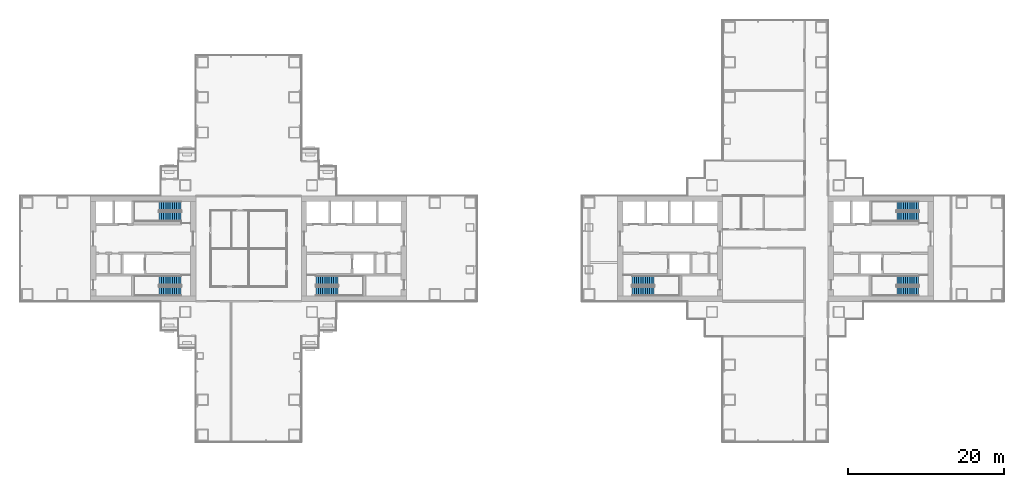
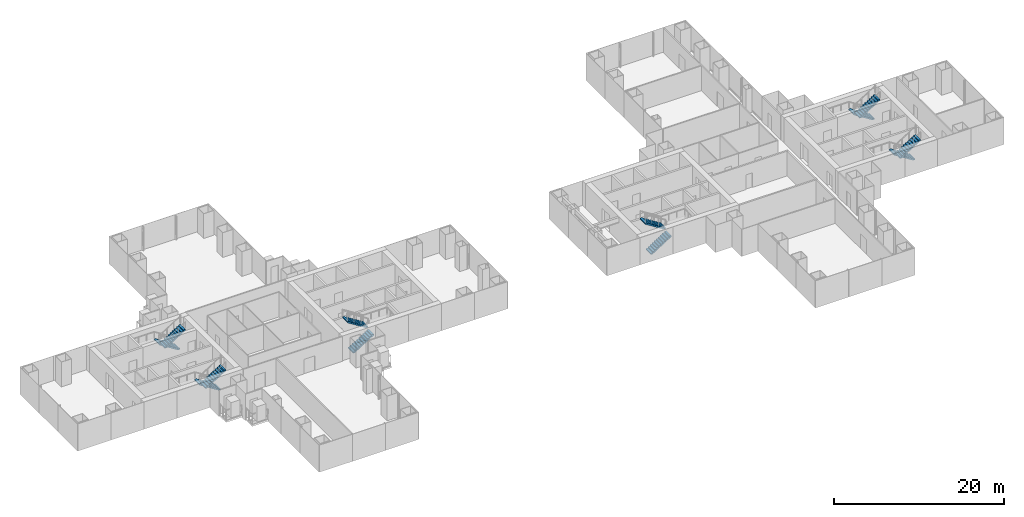
# One storey, part 18 of 21: 12 stair flights, 6 elements without a shape of their own.
"""IFC4 building model written with IfcOpenShell, lengths in metres."""

from ifc_helpers import new_model, si_unit, direction, frame, origin, place, context, subcontext, project, spatial, polyline, outline, extrude, material, type_object, element, aggregate, save


model = new_model("IFC4")

# Units and contexts
model_context = context("Model", 3, precision=1e-05, world=origin(), true_north=direction((0.0, 1.0)))
body_context = subcontext(model_context, "Body", "Model", "MODEL_VIEW")
ifc_project = project(units=[si_unit("LENGTHUNIT", "METRE"), si_unit("AREAUNIT", "SQUARE_METRE"), si_unit("VOLUMEUNIT", "CUBIC_METRE"), si_unit("PLANEANGLEUNIT", "RADIAN"), si_unit("MASSUNIT", "GRAM", prefix="KILO")], contexts=[model_context])

# Site, building, storey
site_placement = place(None, origin())
site = spatial("IfcSite", under=ifc_project, at=site_placement, CompositionType="ELEMENT")
building_placement = place(site_placement, origin())
building = spatial("IfcBuilding", under=site, at=building_placement, Name="Shamsa Quay Exchange Towers", CompositionType="ELEMENT")
storey_placement = place(building_placement, frame((0.0, 0.0, 65.39990234375)))
storey = spatial("IfcBuildingStorey", under=building, at=storey_placement, Name="L14", CompositionType="ELEMENT", Elevation=65.39990234375)

# Stair, stair flights
ifc_material = material(Name="Concrete C40/50", Category="concrete")
stair_type = type_object("IfcStairType", Name="EXIT STAIR 22 RISERS 177 MM", PredefinedType="HALF_TURN_STAIR", material=ifc_material)
stair_1_placement = place(storey_placement, origin())
stair_1 = element("IfcStair", 1, at=stair_1_placement, inside=storey, type_object=stair_type, Name="L14 Exit stair ST1", PredefinedType="HALF_TURN_STAIR")
stair_flight_type = type_object("IfcStairFlightType", Name="EXIT STAIR FLIGHT 11 RISERS 177 MM", PredefinedType="STRAIGHT", material=ifc_material)
stair_flight_1_placement = place(storey_placement, frame((-25.10009765625, -5.449951171875, 0.0)))
stair_flight_1 = element("IfcStairFlight", 2, at=stair_flight_1_placement, type_object=stair_flight_type, Name="ST1 flight 1", NumberOfRisers=11, NumberOfTreads=10, PredefinedType="STRAIGHT", RiserHeight=0.177272727, TreadLength=0.28, context=body_context, shape_type="SweptSolid", body=[
    extrude(outline(polyline([(0.0, 0.0), (0.0, 0.17724609375), (0.280029296875, 0.17724609375), (0.280029296875, 0.3544921875), (0.56005859375, 0.3544921875), (0.56005859375, 0.53173828125), (0.840087890625, 0.53173828125), (0.840087890625, 0.708984375), (1.1201171875, 0.708984375), (1.1201171875, 0.886474609375), (1.39990234375, 0.886474609375), (1.39990234375, 1.063720703125), (1.679931640625, 1.063720703125), (1.679931640625, 1.240966796875), (1.9599609375, 1.240966796875), (1.9599609375, 1.418212890625), (2.239990234375, 1.418212890625), (2.239990234375, 1.595458984375), (2.52001953125, 1.595458984375), (2.52001953125, 1.772705078125), (2.800048828125, 1.772705078125), (2.800048828125, 1.949951171875), (2.800048828125, 1.607177734375), (0.261474609375, 0.0), (0.0, 0.0)])), frame((0.0, 0.60009765625, 0.0), z_axis=(0.0, -1.0, 0.0), x_axis=(1.0, 0.0, 0.0)), (0.0, 0.0, 1.0), 1.199951171875),
])
stair_flight_2_placement = place(storey_placement, frame((-22.300048828125, -4.10009765625, 1.9501953125), z_axis=(0.0, 0.0, 1.0), x_axis=(-1.0, 0.0, 0.0)))
stair_flight_2 = element("IfcStairFlight", 3, at=stair_flight_2_placement, type_object=stair_flight_type, Name="ST1 flight 2", NumberOfRisers=11, NumberOfTreads=10, PredefinedType="STRAIGHT", RiserHeight=0.177272727, TreadLength=0.28, context=body_context, shape_type="SweptSolid", body=[
    extrude(outline(polyline([(0.0, 0.0), (0.0, 0.17724609375), (0.280029296875, 0.17724609375), (0.280029296875, 0.3544921875), (0.56005859375, 0.3544921875), (0.56005859375, 0.53173828125), (0.840087890625, 0.53173828125), (0.840087890625, 0.708984375), (1.1201171875, 0.708984375), (1.1201171875, 0.886474609375), (1.39990234375, 0.886474609375), (1.39990234375, 1.063720703125), (1.679931640625, 1.063720703125), (1.679931640625, 1.240966796875), (1.9599609375, 1.240966796875), (1.9599609375, 1.418212890625), (2.239990234375, 1.418212890625), (2.239990234375, 1.595458984375), (2.52001953125, 1.595458984375), (2.52001953125, 1.772705078125), (2.800048828125, 1.772705078125), (2.800048828125, 1.949951171875), (2.800048828125, 1.607177734375), (0.261474609375, 0.0), (0.0, 0.0)])), frame((0.0, 0.60009765625, 0.0), z_axis=(0.0, -1.0, 0.0), x_axis=(1.0, 0.0, 0.0)), (0.0, 0.0, 1.0), 1.199951171875),
])
aggregate(stair_1, [stair_flight_1, stair_flight_2])

stair_2_placement = place(storey_placement, origin())
stair_2 = element("IfcStair", 4, at=stair_2_placement, inside=storey, type_object=stair_type, Name="L14 Exit stair ST2", PredefinedType="HALF_TURN_STAIR")
stair_flight_3_placement = place(storey_placement, frame((-42.39990234375, -4.10009765625, 0.0), z_axis=(0.0, 0.0, 1.0), x_axis=(-1.0, 0.0, 0.0)))
stair_flight_3 = element("IfcStairFlight", 5, at=stair_flight_3_placement, type_object=stair_flight_type, Name="ST2 flight 1", NumberOfRisers=11, NumberOfTreads=10, PredefinedType="STRAIGHT", RiserHeight=0.177272727, TreadLength=0.28, context=body_context, shape_type="SweptSolid", body=[
    extrude(outline(polyline([(0.0, 0.0), (0.0, 0.17724609375), (0.280029296875, 0.17724609375), (0.280029296875, 0.3544921875), (0.56005859375, 0.3544921875), (0.56005859375, 0.53173828125), (0.840087890625, 0.53173828125), (0.840087890625, 0.708984375), (1.1201171875, 0.708984375), (1.1201171875, 0.886474609375), (1.39990234375, 0.886474609375), (1.39990234375, 1.063720703125), (1.679931640625, 1.063720703125), (1.679931640625, 1.240966796875), (1.9599609375, 1.240966796875), (1.9599609375, 1.418212890625), (2.239990234375, 1.418212890625), (2.239990234375, 1.595458984375), (2.52001953125, 1.595458984375), (2.52001953125, 1.772705078125), (2.800048828125, 1.772705078125), (2.800048828125, 1.949951171875), (2.800048828125, 1.607177734375), (0.261474609375, 0.0), (0.0, 0.0)])), frame((0.0, 0.60009765625, 0.0), z_axis=(0.0, -1.0, 0.0), x_axis=(1.0, 0.0, 0.0)), (0.0, 0.0, 1.0), 1.199951171875),
])
stair_flight_4_placement = place(storey_placement, frame((-45.199951171875, -5.449951171875, 1.9501953125)))
stair_flight_4 = element("IfcStairFlight", 6, at=stair_flight_4_placement, type_object=stair_flight_type, Name="ST2 flight 2", NumberOfRisers=11, NumberOfTreads=10, PredefinedType="STRAIGHT", RiserHeight=0.177272727, TreadLength=0.28, context=body_context, shape_type="SweptSolid", body=[
    extrude(outline(polyline([(0.0, 0.0), (0.0, 0.17724609375), (0.280029296875, 0.17724609375), (0.280029296875, 0.3544921875), (0.56005859375, 0.3544921875), (0.56005859375, 0.53173828125), (0.840087890625, 0.53173828125), (0.840087890625, 0.708984375), (1.1201171875, 0.708984375), (1.1201171875, 0.886474609375), (1.39990234375, 0.886474609375), (1.39990234375, 1.063720703125), (1.679931640625, 1.063720703125), (1.679931640625, 1.240966796875), (1.9599609375, 1.240966796875), (1.9599609375, 1.418212890625), (2.239990234375, 1.418212890625), (2.239990234375, 1.595458984375), (2.52001953125, 1.595458984375), (2.52001953125, 1.772705078125), (2.800048828125, 1.772705078125), (2.800048828125, 1.949951171875), (2.800048828125, 1.607177734375), (0.261474609375, 0.0), (0.0, 0.0)])), frame((0.0, 0.60009765625, 0.0), z_axis=(0.0, -1.0, 0.0), x_axis=(1.0, 0.0, 0.0)), (0.0, 0.0, 1.0), 1.199951171875),
])
aggregate(stair_2, [stair_flight_3, stair_flight_4])

stair_3_placement = place(storey_placement, origin())
stair_3 = element("IfcStair", 7, at=stair_3_placement, inside=storey, type_object=stair_type, Name="L14 Exit stair ST3", PredefinedType="HALF_TURN_STAIR")
stair_flight_5_placement = place(storey_placement, frame((-42.39990234375, 5.449951171875, 0.0), z_axis=(0.0, 0.0, 1.0), x_axis=(-1.0, 0.0, 0.0)))
stair_flight_5 = element("IfcStairFlight", 8, at=stair_flight_5_placement, type_object=stair_flight_type, Name="ST3 flight 1", NumberOfRisers=11, NumberOfTreads=10, PredefinedType="STRAIGHT", RiserHeight=0.177272727, TreadLength=0.28, context=body_context, shape_type="SweptSolid", body=[
    extrude(outline(polyline([(0.0, 0.0), (0.0, 0.17724609375), (0.280029296875, 0.17724609375), (0.280029296875, 0.3544921875), (0.56005859375, 0.3544921875), (0.56005859375, 0.53173828125), (0.840087890625, 0.53173828125), (0.840087890625, 0.708984375), (1.1201171875, 0.708984375), (1.1201171875, 0.886474609375), (1.39990234375, 0.886474609375), (1.39990234375, 1.063720703125), (1.679931640625, 1.063720703125), (1.679931640625, 1.240966796875), (1.9599609375, 1.240966796875), (1.9599609375, 1.418212890625), (2.239990234375, 1.418212890625), (2.239990234375, 1.595458984375), (2.52001953125, 1.595458984375), (2.52001953125, 1.772705078125), (2.800048828125, 1.772705078125), (2.800048828125, 1.949951171875), (2.800048828125, 1.607177734375), (0.261474609375, 0.0), (0.0, 0.0)])), frame((0.0, 0.60009765625, 0.0), z_axis=(0.0, -1.0, 0.0), x_axis=(1.0, 0.0, 0.0)), (0.0, 0.0, 1.0), 1.199951171875),
])
stair_flight_6_placement = place(storey_placement, frame((-45.199951171875, 4.10009765625, 1.9501953125)))
stair_flight_6 = element("IfcStairFlight", 9, at=stair_flight_6_placement, type_object=stair_flight_type, Name="ST3 flight 2", NumberOfRisers=11, NumberOfTreads=10, PredefinedType="STRAIGHT", RiserHeight=0.177272727, TreadLength=0.28, context=body_context, shape_type="SweptSolid", body=[
    extrude(outline(polyline([(0.0, 0.0), (0.0, 0.17724609375), (0.280029296875, 0.17724609375), (0.280029296875, 0.3544921875), (0.56005859375, 0.3544921875), (0.56005859375, 0.53173828125), (0.840087890625, 0.53173828125), (0.840087890625, 0.708984375), (1.1201171875, 0.708984375), (1.1201171875, 0.886474609375), (1.39990234375, 0.886474609375), (1.39990234375, 1.063720703125), (1.679931640625, 1.063720703125), (1.679931640625, 1.240966796875), (1.9599609375, 1.240966796875), (1.9599609375, 1.418212890625), (2.239990234375, 1.418212890625), (2.239990234375, 1.595458984375), (2.52001953125, 1.595458984375), (2.52001953125, 1.772705078125), (2.800048828125, 1.772705078125), (2.800048828125, 1.949951171875), (2.800048828125, 1.607177734375), (0.261474609375, 0.0), (0.0, 0.0)])), frame((0.0, 0.60009765625, 0.0), z_axis=(0.0, -1.0, 0.0), x_axis=(1.0, 0.0, 0.0)), (0.0, 0.0, 1.0), 1.199951171875),
])
aggregate(stair_3, [stair_flight_5, stair_flight_6])

stair_4_placement = place(storey_placement, origin())
stair_4 = element("IfcStair", 10, at=stair_4_placement, inside=storey, type_object=stair_type, Name="L14 Exit stair ST4", PredefinedType="HALF_TURN_STAIR")
stair_flight_7_placement = place(storey_placement, frame((15.39990234375, -5.449951171875, 0.0)))
stair_flight_7 = element("IfcStairFlight", 11, at=stair_flight_7_placement, type_object=stair_flight_type, Name="ST4 flight 1", NumberOfRisers=11, NumberOfTreads=10, PredefinedType="STRAIGHT", RiserHeight=0.177272727, TreadLength=0.28, context=body_context, shape_type="SweptSolid", body=[
    extrude(outline(polyline([(0.0, 0.0), (0.0, 0.17724609375), (0.280029296875, 0.17724609375), (0.280029296875, 0.3544921875), (0.56005859375, 0.3544921875), (0.56005859375, 0.53173828125), (0.840087890625, 0.53173828125), (0.840087890625, 0.708984375), (1.1201171875, 0.708984375), (1.1201171875, 0.886474609375), (1.39990234375, 0.886474609375), (1.39990234375, 1.063720703125), (1.679931640625, 1.063720703125), (1.679931640625, 1.240966796875), (1.9599609375, 1.240966796875), (1.9599609375, 1.418212890625), (2.239990234375, 1.418212890625), (2.239990234375, 1.595458984375), (2.52001953125, 1.595458984375), (2.52001953125, 1.772705078125), (2.800048828125, 1.772705078125), (2.800048828125, 1.949951171875), (2.800048828125, 1.607177734375), (0.261474609375, 0.0), (0.0, 0.0)])), frame((0.0, 0.60009765625, 0.0), z_axis=(0.0, -1.0, 0.0), x_axis=(1.0, 0.0, 0.0)), (0.0, 0.0, 1.0), 1.199951171875),
])
stair_flight_8_placement = place(storey_placement, frame((18.199951171875, -4.10009765625, 1.9501953125), z_axis=(0.0, 0.0, 1.0), x_axis=(-1.0, 0.0, 0.0)))
stair_flight_8 = element("IfcStairFlight", 12, at=stair_flight_8_placement, type_object=stair_flight_type, Name="ST4 flight 2", NumberOfRisers=11, NumberOfTreads=10, PredefinedType="STRAIGHT", RiserHeight=0.177272727, TreadLength=0.28, context=body_context, shape_type="SweptSolid", body=[
    extrude(outline(polyline([(0.0, 0.0), (0.0, 0.17724609375), (0.280029296875, 0.17724609375), (0.280029296875, 0.3544921875), (0.56005859375, 0.3544921875), (0.56005859375, 0.53173828125), (0.840087890625, 0.53173828125), (0.840087890625, 0.708984375), (1.1201171875, 0.708984375), (1.1201171875, 0.886474609375), (1.39990234375, 0.886474609375), (1.39990234375, 1.063720703125), (1.679931640625, 1.063720703125), (1.679931640625, 1.240966796875), (1.9599609375, 1.240966796875), (1.9599609375, 1.418212890625), (2.239990234375, 1.418212890625), (2.239990234375, 1.595458984375), (2.52001953125, 1.595458984375), (2.52001953125, 1.772705078125), (2.800048828125, 1.772705078125), (2.800048828125, 1.949951171875), (2.800048828125, 1.607177734375), (0.261474609375, 0.0), (0.0, 0.0)])), frame((0.0, 0.60009765625, 0.0), z_axis=(0.0, -1.0, 0.0), x_axis=(1.0, 0.0, 0.0)), (0.0, 0.0, 1.0), 1.199951171875),
])
aggregate(stair_4, [stair_flight_7, stair_flight_8])

stair_5_placement = place(storey_placement, origin())
stair_5 = element("IfcStair", 13, at=stair_5_placement, inside=storey, type_object=stair_type, Name="L14 Exit stair ST5", PredefinedType="HALF_TURN_STAIR")
stair_flight_9_placement = place(storey_placement, frame((52.10009765625, -4.10009765625, 0.0), z_axis=(0.0, 0.0, 1.0), x_axis=(-1.0, 0.0, 0.0)))
stair_flight_9 = element("IfcStairFlight", 14, at=stair_flight_9_placement, type_object=stair_flight_type, Name="ST5 flight 1", NumberOfRisers=11, NumberOfTreads=10, PredefinedType="STRAIGHT", RiserHeight=0.177272727, TreadLength=0.28, context=body_context, shape_type="SweptSolid", body=[
    extrude(outline(polyline([(0.0, 0.0), (0.0, 0.17724609375), (0.280029296875, 0.17724609375), (0.280029296875, 0.3544921875), (0.56005859375, 0.3544921875), (0.56005859375, 0.53173828125), (0.840087890625, 0.53173828125), (0.840087890625, 0.708984375), (1.1201171875, 0.708984375), (1.1201171875, 0.886474609375), (1.39990234375, 0.886474609375), (1.39990234375, 1.063720703125), (1.679931640625, 1.063720703125), (1.679931640625, 1.240966796875), (1.9599609375, 1.240966796875), (1.9599609375, 1.418212890625), (2.239990234375, 1.418212890625), (2.239990234375, 1.595458984375), (2.52001953125, 1.595458984375), (2.52001953125, 1.772705078125), (2.800048828125, 1.772705078125), (2.800048828125, 1.949951171875), (2.800048828125, 1.607177734375), (0.261474609375, 0.0), (0.0, 0.0)])), frame((0.0, 0.60009765625, 0.0), z_axis=(0.0, -1.0, 0.0), x_axis=(1.0, 0.0, 0.0)), (0.0, 0.0, 1.0), 1.199951171875),
])
stair_flight_10_placement = place(storey_placement, frame((49.300048828125, -5.449951171875, 1.9501953125)))
stair_flight_10 = element("IfcStairFlight", 15, at=stair_flight_10_placement, type_object=stair_flight_type, Name="ST5 flight 2", NumberOfRisers=11, NumberOfTreads=10, PredefinedType="STRAIGHT", RiserHeight=0.177272727, TreadLength=0.28, context=body_context, shape_type="SweptSolid", body=[
    extrude(outline(polyline([(0.0, 0.0), (0.0, 0.17724609375), (0.280029296875, 0.17724609375), (0.280029296875, 0.3544921875), (0.56005859375, 0.3544921875), (0.56005859375, 0.53173828125), (0.840087890625, 0.53173828125), (0.840087890625, 0.708984375), (1.1201171875, 0.708984375), (1.1201171875, 0.886474609375), (1.39990234375, 0.886474609375), (1.39990234375, 1.063720703125), (1.679931640625, 1.063720703125), (1.679931640625, 1.240966796875), (1.9599609375, 1.240966796875), (1.9599609375, 1.418212890625), (2.239990234375, 1.418212890625), (2.239990234375, 1.595458984375), (2.52001953125, 1.595458984375), (2.52001953125, 1.772705078125), (2.800048828125, 1.772705078125), (2.800048828125, 1.949951171875), (2.800048828125, 1.607177734375), (0.261474609375, 0.0), (0.0, 0.0)])), frame((0.0, 0.60009765625, 0.0), z_axis=(0.0, -1.0, 0.0), x_axis=(1.0, 0.0, 0.0)), (0.0, 0.0, 1.0), 1.199951171875),
])
aggregate(stair_5, [stair_flight_9, stair_flight_10])

stair_6_placement = place(storey_placement, origin())
stair_6 = element("IfcStair", 16, at=stair_6_placement, inside=storey, type_object=stair_type, Name="L14 Exit stair ST6", PredefinedType="HALF_TURN_STAIR")
stair_flight_11_placement = place(storey_placement, frame((52.10009765625, 5.449951171875, 0.0), z_axis=(0.0, 0.0, 1.0), x_axis=(-1.0, 0.0, 0.0)))
stair_flight_11 = element("IfcStairFlight", 17, at=stair_flight_11_placement, type_object=stair_flight_type, Name="ST6 flight 1", NumberOfRisers=11, NumberOfTreads=10, PredefinedType="STRAIGHT", RiserHeight=0.177272727, TreadLength=0.28, context=body_context, shape_type="SweptSolid", body=[
    extrude(outline(polyline([(0.0, 0.0), (0.0, 0.17724609375), (0.280029296875, 0.17724609375), (0.280029296875, 0.3544921875), (0.56005859375, 0.3544921875), (0.56005859375, 0.53173828125), (0.840087890625, 0.53173828125), (0.840087890625, 0.708984375), (1.1201171875, 0.708984375), (1.1201171875, 0.886474609375), (1.39990234375, 0.886474609375), (1.39990234375, 1.063720703125), (1.679931640625, 1.063720703125), (1.679931640625, 1.240966796875), (1.9599609375, 1.240966796875), (1.9599609375, 1.418212890625), (2.239990234375, 1.418212890625), (2.239990234375, 1.595458984375), (2.52001953125, 1.595458984375), (2.52001953125, 1.772705078125), (2.800048828125, 1.772705078125), (2.800048828125, 1.949951171875), (2.800048828125, 1.607177734375), (0.261474609375, 0.0), (0.0, 0.0)])), frame((0.0, 0.60009765625, 0.0), z_axis=(0.0, -1.0, 0.0), x_axis=(1.0, 0.0, 0.0)), (0.0, 0.0, 1.0), 1.199951171875),
])
stair_flight_12_placement = place(storey_placement, frame((49.300048828125, 4.10009765625, 1.9501953125)))
stair_flight_12 = element("IfcStairFlight", 18, at=stair_flight_12_placement, type_object=stair_flight_type, Name="ST6 flight 2", NumberOfRisers=11, NumberOfTreads=10, PredefinedType="STRAIGHT", RiserHeight=0.177272727, TreadLength=0.28, context=body_context, shape_type="SweptSolid", body=[
    extrude(outline(polyline([(0.0, 0.0), (0.0, 0.17724609375), (0.280029296875, 0.17724609375), (0.280029296875, 0.3544921875), (0.56005859375, 0.3544921875), (0.56005859375, 0.53173828125), (0.840087890625, 0.53173828125), (0.840087890625, 0.708984375), (1.1201171875, 0.708984375), (1.1201171875, 0.886474609375), (1.39990234375, 0.886474609375), (1.39990234375, 1.063720703125), (1.679931640625, 1.063720703125), (1.679931640625, 1.240966796875), (1.9599609375, 1.240966796875), (1.9599609375, 1.418212890625), (2.239990234375, 1.418212890625), (2.239990234375, 1.595458984375), (2.52001953125, 1.595458984375), (2.52001953125, 1.772705078125), (2.800048828125, 1.772705078125), (2.800048828125, 1.949951171875), (2.800048828125, 1.607177734375), (0.261474609375, 0.0), (0.0, 0.0)])), frame((0.0, 0.60009765625, 0.0), z_axis=(0.0, -1.0, 0.0), x_axis=(1.0, 0.0, 0.0)), (0.0, 0.0, 1.0), 1.199951171875),
])
aggregate(stair_6, [stair_flight_11, stair_flight_12])

save(model, "model.ifc")
